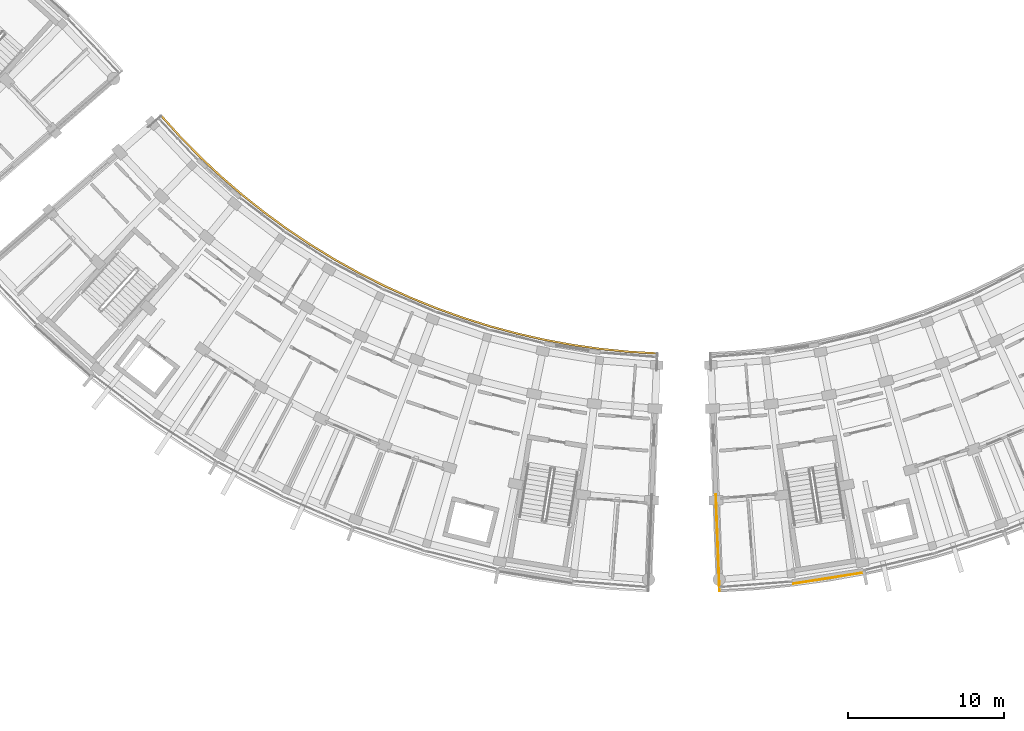
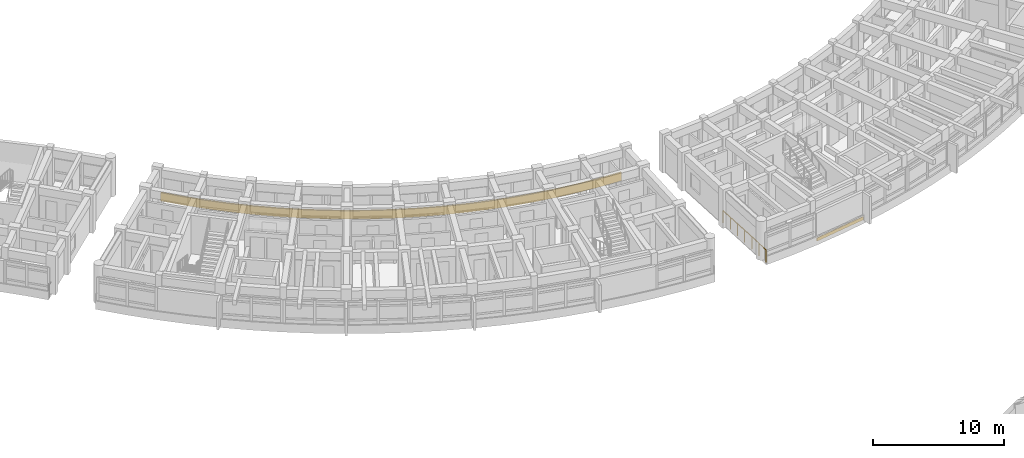
# One storey, part 80 of 83: 2 railings, 1 covering.
"""IFC4 building model written with IfcOpenShell, lengths in metres."""

import ifcopenshell
import ifcopenshell.guid

model = None  # the IFC model being written
_history = None  # IfcOwnerHistory: only IFC2X3 demands one
_inside = {}  # id of a spatial element -> (the spatial element, [elements in it])
_under = {}  # id of a project, library or spatial element -> (it, [spatial elements below it])
_declared = {}  # id of a project -> (the project, [libraries it declares])
_typed = {}  # id of a type object -> (the type object, [elements of that type])
_made_of = {}  # id of a material, layer set ... -> (it, [elements and type objects made of it])


def new_model(schema):
    """Start an empty IFC model of exactly this schema.

    Asked for "IFC4X3", IfcOpenShell would pick the latest addendum, in which some entities
    have other attributes; the version numbers below select the first issue.
    IFC2X3 requires an IfcOwnerHistory on every rooted entity: one is made here for all.
    """
    global model, _history
    if schema == "IFC4X3":
        model = ifcopenshell.file(schema_version=(4, 3, 0, 0))
    else:
        model = ifcopenshell.file(schema=schema)
    _inside.clear()
    _under.clear()
    _declared.clear()
    _typed.clear()
    _made_of.clear()
    _history = None
    if model.schema == "IFC2X3":
        org = make("IfcOrganization", Name="unknown")
        user = make(
            "IfcPersonAndOrganization",
            ThePerson=make("IfcPerson", FamilyName="unknown"),
            TheOrganization=org,
        )
        app = make(
            "IfcApplication",
            ApplicationDeveloper=org,
            Version="unknown",
            ApplicationFullName="unknown",
            ApplicationIdentifier="unknown",
        )
        _history = make(
            "IfcOwnerHistory",
            OwningUser=user,
            OwningApplication=app,
            ChangeAction="ADDED",
            CreationDate=0,
        )
    return model


def make(cls, **values):
    """One entity of the class cls with the attributes given. An attribute that is None is left unset."""
    return model.create_entity(
        cls, **{name: value for name, value in values.items() if value is not None}
    )


def rooted(cls, **values):
    """An entity with a GlobalId (a new one), such as an element, a storey or a relation."""
    return make(cls, GlobalId=ifcopenshell.guid.new(), OwnerHistory=_history, **values)


def si_unit(unit_type, name, prefix=None):
    """IfcSIUnit, for example si_unit("LENGTHUNIT", "METRE", prefix="MILLI")."""
    return make("IfcSIUnit", UnitType=unit_type, Prefix=prefix, Name=name)


def assignment(units):
    """IfcUnitAssignment: the units of a project."""
    return None if units is None else make("IfcUnitAssignment", Units=units)


def point(xyz):
    """IfcCartesianPoint."""
    return None if xyz is None else make("IfcCartesianPoint", Coordinates=xyz)


def direction(xyz):
    """IfcDirection."""
    return None if xyz is None else make("IfcDirection", DirectionRatios=xyz)


def frame(location, z_axis=None, x_axis=None):
    """IfcAxis2Placement3D, a coordinate frame: its origin and axes. An axis left out is left unset."""
    return make(
        "IfcAxis2Placement3D",
        Location=point(location),
        Axis=direction(z_axis),
        RefDirection=direction(x_axis),
    )


def frame_2d(location, x_axis=None):
    """IfcAxis2Placement2D, a coordinate frame in the plane: its origin and x axis."""
    return make(
        "IfcAxis2Placement2D", Location=point(location), RefDirection=direction(x_axis)
    )


def origin():
    """The frame at (0, 0, 0) with its axes left unset."""
    return frame((0.0, 0.0, 0.0))


def origin_2d():
    """The frame at (0, 0) in the plane with its x axis left unset."""
    return frame_2d((0.0, 0.0))


def place(relative_to, where):
    """IfcLocalPlacement: puts the frame where relative to a parent placement (None: the world)."""
    return make(
        "IfcLocalPlacement", PlacementRelTo=relative_to, RelativePlacement=where
    )


def context(
    kind, dimensions, precision=None, world=None, true_north=None, identifier=None
):
    """IfcGeometricRepresentationContext, for example the 3D "Model" context."""
    return make(
        "IfcGeometricRepresentationContext",
        ContextIdentifier=identifier,
        ContextType=kind,
        CoordinateSpaceDimension=dimensions,
        Precision=precision,
        WorldCoordinateSystem=world,
        TrueNorth=true_north,
    )


def subcontext(parent, identifier, kind, view, scale=None):
    """IfcGeometricRepresentationSubContext, for example "Body" below "Model"."""
    return make(
        "IfcGeometricRepresentationSubContext",
        ContextIdentifier=identifier,
        ContextType=kind,
        ParentContext=parent,
        TargetScale=scale,
        TargetView=view,
    )


def project(units=None, contexts=None):
    """IfcProject with its units and contexts."""
    return rooted(
        "IfcProject",
        Name="project",
        RepresentationContexts=contexts,
        UnitsInContext=assignment(units),
    )


def spatial(cls, under=None, at=None, **own):
    """A site, building, storey or space (cls), placed at a placement, below another one or the project."""
    s = rooted(cls, ObjectPlacement=at, **own)
    if under is not None:
        _under.setdefault(under.id(), (under, []))[1].append(s)
    return s


def polyline(points):
    """IfcPolyline through the points."""
    return make("IfcPolyline", Points=[point(p) for p in points])


def profile(cls, at=None, kind="AREA", **sizes):
    """A parametric profile (cls). Its sizes go by their IFC names, for example OverallWidth=200.0."""
    return make(cls, ProfileType=kind, Position=at, **sizes)


def rectangle(**sizes):
    """IfcRectangleProfileDef."""
    return profile("IfcRectangleProfileDef", **sizes)


def circle(**sizes):
    """IfcCircleProfileDef."""
    return profile("IfcCircleProfileDef", **sizes)


def outline(outer, holes=None, kind="AREA"):
    """IfcArbitraryClosedProfileDef: a profile drawn as a closed curve; with holes, ...WithVoids."""
    if holes is None:
        return make("IfcArbitraryClosedProfileDef", ProfileType=kind, OuterCurve=outer)
    return make(
        "IfcArbitraryProfileDefWithVoids",
        ProfileType=kind,
        OuterCurve=outer,
        InnerCurves=holes,
    )


def extrude(swept, where, along, depth):
    """IfcExtrudedAreaSolid: the profile swept, set in the frame where, extruded along a direction by depth."""
    return make(
        "IfcExtrudedAreaSolid",
        SweptArea=swept,
        Position=where,
        ExtrudedDirection=direction(along),
        Depth=depth,
    )


def shape(context_of_items, identifier, shape_type, items):
    """IfcShapeRepresentation: the items that make up one representation, for example the "Body"."""
    return make(
        "IfcShapeRepresentation",
        ContextOfItems=context_of_items,
        RepresentationIdentifier=identifier,
        RepresentationType=shape_type,
        Items=items,
    )


def material(Name=None, Category=None):
    """IfcMaterial."""
    return make("IfcMaterial", Name=Name, Category=Category)


def layer(
    of_material, thickness, ventilated=None, Name=None, Category=None, Priority=None
):
    """IfcMaterialLayer: one layer of a wall or slab, of a material (None: an air gap)."""
    return make(
        "IfcMaterialLayer",
        Material=of_material,
        LayerThickness=thickness,
        IsVentilated=ventilated,
        Name=Name,
        Category=Category,
        Priority=Priority,
    )


def layer_set(layers, Name=None):
    """IfcMaterialLayerSet."""
    return make("IfcMaterialLayerSet", MaterialLayers=layers, LayerSetName=Name)


def made_of(thing, what):
    """Note that an element or type object is made of a material, layer set ...; save() writes the relation."""
    if what is not None:
        _made_of.setdefault(what.id(), (what, []))[1].append(thing)
    return thing


def type_object(cls, material=None, **own):
    """A type object (cls), such as IfcWallType, which elements share."""
    return made_of(rooted(cls, **own), material)


def element(
    cls,
    number,
    at=None,
    inside=None,
    cuts=None,
    type_object=None,
    material=None,
    context=None,
    identifier="Body",
    shape_type=None,
    held_by="IfcProductDefinitionShape",
    body=None,
    shapes=None,
    **own,
):
    """One element of the class cls, such as IfcWall. Its Tag is "e" and its number.

    at: its placement. inside: the storey or other place that contains it. cuts: it is an
    opening in that element (IfcRelVoidsElement). A single representation is given by context,
    identifier, shape_type and body (its items); several are given by shapes. held_by: the class
    of the entity that holds the representations. save() writes the other relations.
    """
    e = rooted(cls, Tag="e%d" % number, ObjectPlacement=at, **own)
    if body is not None:
        shapes = [shape(context, identifier, shape_type, body)]
    if shapes is not None:
        e.Representation = make(held_by, Representations=shapes)
    if inside is not None:
        _inside.setdefault(inside.id(), (inside, []))[1].append(e)
    if cuts is not None:
        rooted(
            "IfcRelVoidsElement", RelatingBuildingElement=cuts, RelatedOpeningElement=e
        )
    if type_object is not None:
        _typed.setdefault(type_object.id(), (type_object, []))[1].append(e)
    return made_of(e, material)


def aggregate(whole, parts):
    """IfcRelAggregates: a whole, such as a stair, and the parts it consists of."""
    return rooted("IfcRelAggregates", RelatingObject=whole, RelatedObjects=parts)


def save(model, path):
    """Write the relations noted so far, then the file.

    IfcRelAggregates (storeys below a building ...), IfcRelContainedInSpatialStructure (elements
    in a storey), IfcRelDefinesByType, IfcRelAssociatesMaterial and IfcRelDeclares: one each for
    every whole, place, type object, material and project.
    """
    for whole, parts in _under.values():
        aggregate(whole, parts)
    for where, things in _inside.values():
        rooted(
            "IfcRelContainedInSpatialStructure",
            RelatedElements=things,
            RelatingStructure=where,
        )
    for kind, things in _typed.values():
        rooted("IfcRelDefinesByType", RelatedObjects=things, RelatingType=kind)
    for what, things in _made_of.values():
        rooted("IfcRelAssociatesMaterial", RelatedObjects=things, RelatingMaterial=what)
    for by, libraries in _declared.values():
        rooted("IfcRelDeclares", RelatingContext=by, RelatedDefinitions=libraries)
    model.write(path)


model = new_model("IFC4")

# Units and contexts
model_context = context("Model", 3, precision=1e-05, world=origin(), true_north=direction((0.0, 1.0)))
body_context = subcontext(model_context, "Body", "Model", "MODEL_VIEW")
ifc_project = project(units=[si_unit("LENGTHUNIT", "METRE"), si_unit("AREAUNIT", "SQUARE_METRE"), si_unit("VOLUMEUNIT", "CUBIC_METRE"), si_unit("PLANEANGLEUNIT", "RADIAN"), si_unit("MASSUNIT", "GRAM", prefix="KILO")], contexts=[model_context])

# Site, building, storey
site_placement = place(None, origin())
site = spatial("IfcSite", under=ifc_project, at=site_placement, CompositionType="ELEMENT")
building_placement = place(site_placement, origin())
building = spatial("IfcBuilding", under=site, at=building_placement, Name="Zimvara Arc Housing Community", CompositionType="ELEMENT")
storey_placement = place(building_placement, frame((0.0, 0.0, 4.5)))
storey = spatial("IfcBuildingStorey", under=building, at=storey_placement, Name="L01", CompositionType="ELEMENT", Elevation=4.5)

# Covering
ifc_material_1 = material(Name="Pale-Gold Anodised Aluminium Cladding", Category="aluminium")
ifc_layer = layer(ifc_material_1, 0.044921875)
ifc_layer_set = layer_set([ifc_layer], Name="Pale-Gold Anodised Aluminium Cladding")
covering_type = type_object("IfcCoveringType", Name="CLD-GOLD-02", PredefinedType="CLADDING", material=ifc_layer_set)
covering_placement = place(storey_placement, frame((135.23388671875, 51.10205078125, 0.009765625), z_axis=(0.0, 0.0, 1.0), x_axis=(0.987824479318, 0.155572484907, 0.0)))
element("IfcCovering", 1, at=covering_placement, inside=storey, type_object=covering_type, Name="cld:blkD:L01:out:b1", PredefinedType="CLADDING", context=body_context, shape_type="SweptSolid", body=[
    extrude(rectangle(XDim=4.5625, YDim=0.044921875, at=origin_2d()), origin(), (0.0, 0.0, 1.0), 0.300048828125),
])

# Railings
ifc_material_2 = material(Name="Anodised Aluminium AW-6063", Category="aluminium")
railing_type_1 = type_object("IfcRailingType", Name="RLG-BAL-1150", PredefinedType="BALUSTRADE", material=ifc_material_2)
railing_1_placement = place(storey_placement, frame((128.031494140625, 56.45947265625, 0.0)))
element("IfcRailing", 2, at=railing_1_placement, inside=storey, type_object=railing_type_1, Name="rlg:blkD:L01:gable_out:g0", PredefinedType="BALUSTRADE", context=body_context, shape_type="SweptSolid", body=[
    extrude(circle(Radius=0.02392578125, at=origin_2d()), frame((0.0, 0.0, 1.1259765625), z_axis=(0.038364627964, -0.99926380667, 0.0), x_axis=(0.99926380667, 0.038364627964, 0.0)), (0.0, 0.0, 1.0), 6.16015625),
    extrude(circle(Radius=0.02099609375, at=origin_2d()), origin(), (0.0, 0.0, 1.0), 1.101806640625),
    extrude(circle(Radius=0.02099609375, at=origin_2d()), frame((0.039306640625, -1.02587890625, 0.0)), (0.0, 0.0, 1.0), 1.101806640625),
    extrude(circle(Radius=0.02099609375, at=origin_2d()), frame((0.078857421875, -2.0517578125, 0.0)), (0.0, 0.0, 1.0), 1.101806640625),
    extrude(circle(Radius=0.02099609375, at=origin_2d()), frame((0.1181640625, -3.07763671875, 0.0)), (0.0, 0.0, 1.0), 1.101806640625),
    extrude(circle(Radius=0.02099609375, at=origin_2d()), frame((0.157470703125, -4.103759765625, 0.0)), (0.0, 0.0, 1.0), 1.101806640625),
    extrude(circle(Radius=0.02099609375, at=origin_2d()), frame((0.197021484375, -5.129638671875, 0.0)), (0.0, 0.0, 1.0), 1.101806640625),
    extrude(circle(Radius=0.02099609375, at=origin_2d()), frame((0.236328125, -6.155517578125, 0.0)), (0.0, 0.0, 1.0), 1.101806640625),
])
ifc_material_3 = material(Name="Pale-Gold Anodised Aluminium AW-6063", Category="aluminium")
railing_type_2 = type_object("IfcRailingType", Name="RLG-FAS-780", PredefinedType="BALUSTRADE", material=ifc_material_3)
railing_2_placement = place(storey_placement, frame((0.0, 0.0, -0.219970703125)))
element("IfcRailing", 3, at=railing_2_placement, inside=storey, type_object=railing_type_2, Name="rlg:blkC:L01:gold_in", PredefinedType="BALUSTRADE", context=body_context, shape_type="SweptSolid", body=[
    extrude(outline(polyline([(92.440673828125, 80.704833984375), (93.6591796875, 79.359619140625), (94.931396484375, 78.0654296875), (96.25537109375, 76.82421875), (97.62890625, 75.63818359375), (99.0498046875, 74.50927734375), (100.515625, 73.439208984375), (102.02392578125, 72.4296875), (103.572265625, 71.48291015625), (105.15771484375, 70.60009765625), (106.778076171875, 69.782470703125), (108.430419921875, 69.031982421875), (110.112060546875, 68.349609375), (111.820068359375, 67.736328125), (113.5517578125, 67.193115234375), (115.30419921875, 66.721435546875), (117.074462890625, 66.321533203125), (118.859619140625, 65.994140625), (120.656494140625, 65.739990234375), (122.46240234375, 65.559326171875), (124.27392578125, 65.45263671875), (124.278564453125, 65.57275390625), (122.471923828125, 65.678955078125), (120.6708984375, 65.859130859375), (118.87890625, 66.112548828125), (117.0986328125, 66.43896484375), (115.3330078125, 66.837890625), (113.58544921875, 67.308349609375), (111.8583984375, 67.849853515625), (110.155029296875, 68.461669921875), (108.477783203125, 69.142333984375), (106.830078125, 69.890869140625), (105.214111328125, 70.7060546875), (103.6328125, 71.58642578125), (102.088623046875, 72.53076171875), (100.58447265625, 73.537353515625), (99.12255859375, 74.604736328125), (97.70556640625, 75.73046875), (96.335693359375, 76.91357421875), (95.01513671875, 78.1513671875), (93.746337890625, 79.442138671875), (92.53125, 80.783447265625), (92.440673828125, 80.704833984375)])), origin(), (0.0, 0.0, 1.0), 0.780029296875),
])

save(model, "model.ifc")
